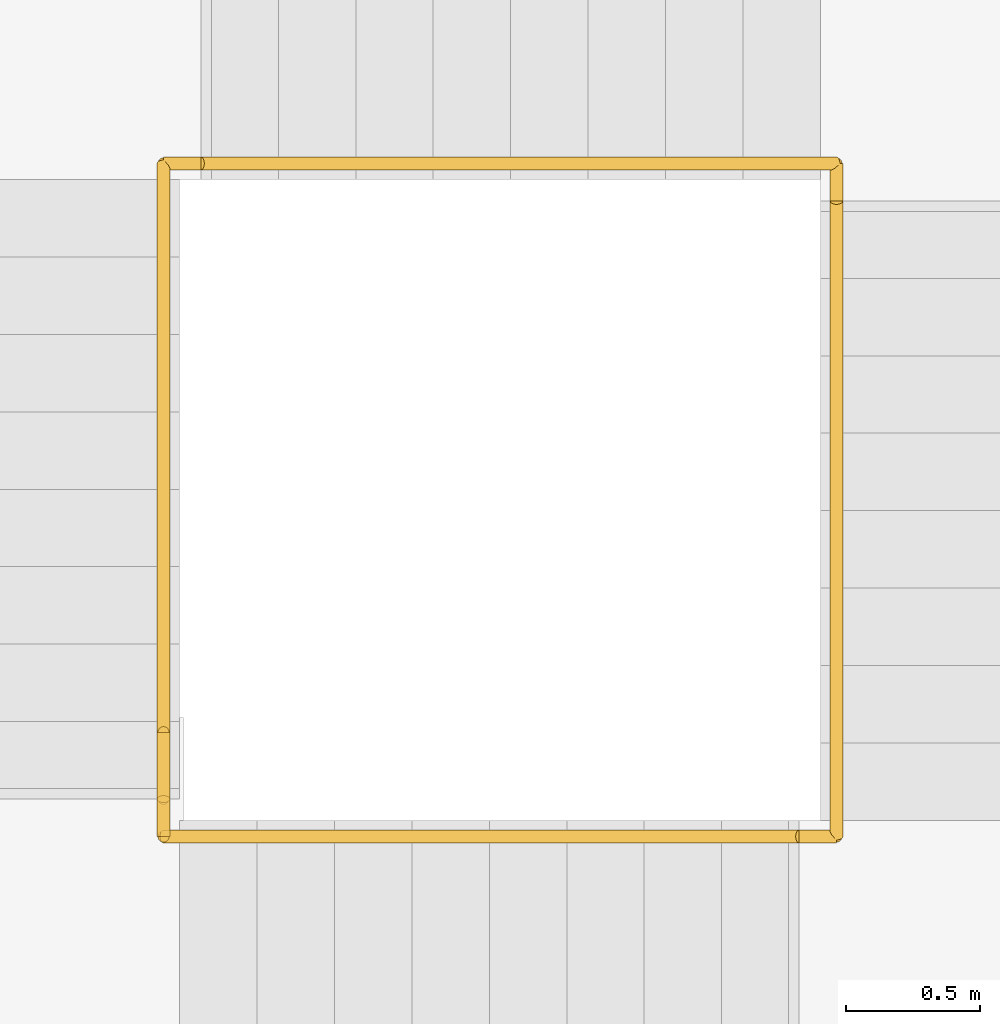
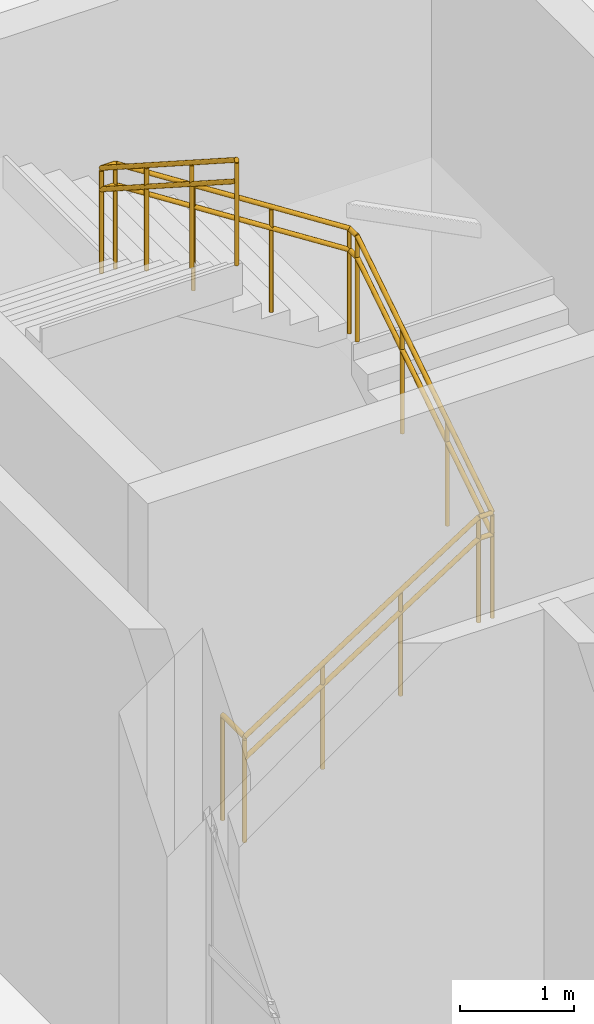
# One storey, part 45 of 46: 3 railings.
"""IFC4 building model written with IfcOpenShell, lengths in metres."""

from ifc_helpers import new_model, si_unit, direction, frame, origin, origin_2d, place, context, subcontext, project, spatial, circle, extrude, material, type_object, element, save


model = new_model("IFC4")

# Units and contexts
model_context = context("Model", 3, precision=1e-05, world=origin(), true_north=direction((0.0, 1.0)))
body_context = subcontext(model_context, "Body", "Model", "MODEL_VIEW")
ifc_project = project(units=[si_unit("LENGTHUNIT", "METRE"), si_unit("AREAUNIT", "SQUARE_METRE"), si_unit("VOLUMEUNIT", "CUBIC_METRE"), si_unit("PLANEANGLEUNIT", "RADIAN"), si_unit("MASSUNIT", "GRAM", prefix="KILO")], contexts=[model_context])

# Site, building, storey
site_placement = place(None, origin())
site = spatial("IfcSite", under=ifc_project, at=site_placement, CompositionType="ELEMENT")
building_placement = place(site_placement, origin())
building = spatial("IfcBuilding", under=site, at=building_placement, Name="Sillaruma Civic Art Gallery", CompositionType="ELEMENT")
storey_placement = place(building_placement, frame((0.0, 0.0, 16.320068359375)))
storey = spatial("IfcBuildingStorey", under=building, at=storey_placement, Name="L03", CompositionType="ELEMENT", Elevation=16.320068359375)

# Railings
ifc_material = material(Name="Stainless Steel AISI 316", Category="steel")
railing_type_1 = type_object("IfcRailingType", Name="RAL-BAL-1150", PredefinedType="BALUSTRADE", material=ifc_material)
railing_1_placement = place(storey_placement, frame((64.739990234375, 82.889892578125, 0.0)))
element("IfcRailing", 1, at=railing_1_placement, inside=storey, type_object=railing_type_1, Name="Stair Floor Edge Guard (ST-02:L03)", PredefinedType="BALUSTRADE", context=body_context, shape_type="SweptSolid", body=[
    extrude(circle(Radius=0.02392578125, at=origin_2d()), frame((0.0, 0.0, 1.1259765625), z_axis=(0.0, 1.0, 0.0), x_axis=(-1.0, 0.0, 0.0)), (0.0, 0.0, 1.0), 0.39013671875),
    extrude(circle(Radius=0.02099609375, at=origin_2d()), origin(), (0.0, 0.0, 1.0), 1.101806640625),
    extrude(circle(Radius=0.02099609375, at=origin_2d()), frame((0.0, 0.39013671875, 0.0)), (0.0, 0.0, 1.0), 1.101806640625),
])
railing_2_placement = place(storey_placement, frame((64.739990234375, 82.889892578125, 0.0)))
element("IfcRailing", 2, at=railing_2_placement, inside=storey, type_object=railing_type_1, Name="Stair Well Balustrade (ST-02-L03)", PredefinedType="BALUSTRADE", context=body_context, shape_type="SweptSolid", body=[
    extrude(circle(Radius=0.02392578125, at=origin_2d()), frame((0.0, 0.0, 1.1259765625), z_axis=(0.84118688567, 0.0, 0.540744508411), x_axis=(0.0, 1.0, 0.0)), (0.0, 0.0, 1.0), 2.82958984375),
    extrude(circle(Radius=0.02392578125, at=origin_2d()), frame((2.380126953125, 0.0, 2.65576171875), z_axis=(1.0, 0.0, 0.0), x_axis=(0.0, 1.0, 0.0)), (0.0, 0.0, 1.0), 0.139892578125),
    extrude(circle(Radius=0.02392578125, at=origin_2d()), frame((2.52001953125, 0.0, 2.65576171875), z_axis=(0.0, 0.841226133241, 0.540683449675), x_axis=(-1.0, 0.0, 0.0)), (0.0, 0.0, 1.0), 2.829345703125),
    extrude(circle(Radius=0.02392578125, at=origin_2d()), frame((2.52001953125, 2.380126953125, 4.185546875), z_axis=(0.0, 1.0, 0.0), x_axis=(-1.0, 0.0, 0.0)), (0.0, 0.0, 1.0), 0.139892578125),
    extrude(circle(Radius=0.02392578125, at=origin_2d()), frame((2.52001953125, 2.52001953125, 4.185546875), z_axis=(-0.84118688567, 0.0, 0.540744508411), x_axis=(0.0, -1.0, 0.0)), (0.0, 0.0, 1.0), 2.82958984375),
    extrude(circle(Radius=0.02392578125, at=origin_2d()), frame((0.139892578125, 2.52001953125, 5.7158203125), z_axis=(-1.0, 0.0, 0.0), x_axis=(0.0, -1.0, 0.0)), (0.0, 0.0, 1.0), 0.139892578125),
    extrude(circle(Radius=0.02392578125, at=origin_2d()), frame((0.0, 2.52001953125, 5.7158203125), z_axis=(0.0, -0.841161652958, 0.540783758626), x_axis=(1.0, 0.0, 0.0)), (0.0, 0.0, 1.0), 2.829345703125),
    extrude(circle(Radius=0.02099609375, at=origin_2d()), origin(), (0.0, 0.0, 1.0), 1.101806640625),
    extrude(circle(Radius=0.02099609375, at=origin_2d()), frame((0.79345703125, 0.0, 0.510009765625)), (0.0, 0.0, 1.0), 1.101806640625),
    extrude(circle(Radius=0.02099609375, at=origin_2d()), frame((1.586669921875, 0.0, 1.02001953125)), (0.0, 0.0, 1.0), 1.101806640625),
    extrude(circle(Radius=0.02099609375, at=origin_2d()), frame((2.380126953125, 0.0, 1.530029296875)), (0.0, 0.0, 1.0), 1.101806640625),
    extrude(circle(Radius=0.02099609375, at=origin_2d()), frame((2.52001953125, 0.0, 1.530029296875)), (0.0, 0.0, 1.0), 1.101806640625),
    extrude(circle(Radius=0.02099609375, at=origin_2d()), frame((2.52001953125, 0.79345703125, 2.0400390625)), (0.0, 0.0, 1.0), 1.101806640625),
    extrude(circle(Radius=0.02099609375, at=origin_2d()), frame((2.52001953125, 1.586669921875, 2.5498046875)), (0.0, 0.0, 1.0), 1.101806640625),
    extrude(circle(Radius=0.02099609375, at=origin_2d()), frame((2.52001953125, 2.380126953125, 3.059814453125)), (0.0, 0.0, 1.0), 1.101806640625),
    extrude(circle(Radius=0.02099609375, at=origin_2d()), frame((2.52001953125, 2.52001953125, 3.059814453125)), (0.0, 0.0, 1.0), 1.101806640625),
    extrude(circle(Radius=0.02099609375, at=origin_2d()), frame((1.7265625, 2.52001953125, 3.56982421875)), (0.0, 0.0, 1.0), 1.101806640625),
    extrude(circle(Radius=0.02099609375, at=origin_2d()), frame((0.933349609375, 2.52001953125, 4.079833984375)), (0.0, 0.0, 1.0), 1.101806640625),
    extrude(circle(Radius=0.02099609375, at=origin_2d()), frame((0.139892578125, 2.52001953125, 4.58984375)), (0.0, 0.0, 1.0), 1.101806640625),
    extrude(circle(Radius=0.02099609375, at=origin_2d()), frame((0.0, 2.52001953125, 4.58984375)), (0.0, 0.0, 1.0), 1.101806640625),
    extrude(circle(Radius=0.02099609375, at=origin_2d()), frame((0.0, 1.726806640625, 5.099853515625)), (0.0, 0.0, 1.0), 1.101806640625),
    extrude(circle(Radius=0.02099609375, at=origin_2d()), frame((0.0, 0.933349609375, 5.60986328125)), (0.0, 0.0, 1.0), 1.101806640625),
    extrude(circle(Radius=0.02099609375, at=origin_2d()), frame((0.0, 0.14013671875, 6.119873046875)), (0.0, 0.0, 1.0), 1.101806640625),
])
railing_type_2 = type_object("IfcRailingType", Name="RAL-HND-920", PredefinedType="HANDRAIL", material=ifc_material)
railing_3_placement = place(storey_placement, frame((64.739990234375, 82.889892578125, 0.0)))
element("IfcRailing", 3, at=railing_3_placement, inside=storey, type_object=railing_type_2, Name="Stair Continuous Handrail (ST-02-L03)", PredefinedType="HANDRAIL", context=body_context, shape_type="SweptSolid", body=[
    extrude(circle(Radius=0.02392578125, at=origin_2d()), frame((0.0, 0.0, 0.89599609375), z_axis=(0.84118688567, 0.0, 0.540744508411), x_axis=(0.0, 1.0, 0.0)), (0.0, 0.0, 1.0), 2.82958984375),
    extrude(circle(Radius=0.02392578125, at=origin_2d()), frame((2.380126953125, 0.0, 2.42578125), z_axis=(1.0, 0.0, 0.0), x_axis=(0.0, 1.0, 0.0)), (0.0, 0.0, 1.0), 0.139892578125),
    extrude(circle(Radius=0.02392578125, at=origin_2d()), frame((2.52001953125, 0.0, 2.42578125), z_axis=(0.0, 0.841226133241, 0.540683449675), x_axis=(-1.0, 0.0, 0.0)), (0.0, 0.0, 1.0), 2.829345703125),
    extrude(circle(Radius=0.02392578125, at=origin_2d()), frame((2.52001953125, 2.380126953125, 3.95556640625), z_axis=(0.0, 1.0, 0.0), x_axis=(-1.0, 0.0, 0.0)), (0.0, 0.0, 1.0), 0.139892578125),
    extrude(circle(Radius=0.02392578125, at=origin_2d()), frame((2.52001953125, 2.52001953125, 3.95556640625), z_axis=(-0.84118688567, 0.0, 0.540744508411), x_axis=(0.0, -1.0, 0.0)), (0.0, 0.0, 1.0), 2.82958984375),
    extrude(circle(Radius=0.02392578125, at=origin_2d()), frame((0.139892578125, 2.52001953125, 5.48583984375), z_axis=(-1.0, 0.0, 0.0), x_axis=(0.0, -1.0, 0.0)), (0.0, 0.0, 1.0), 0.139892578125),
    extrude(circle(Radius=0.02392578125, at=origin_2d()), frame((0.0, 2.52001953125, 5.48583984375), z_axis=(0.0, -0.841161652958, 0.540783758626), x_axis=(1.0, 0.0, 0.0)), (0.0, 0.0, 1.0), 2.829345703125),
    extrude(circle(Radius=0.02099609375, at=origin_2d()), origin(), (0.0, 0.0, 1.0), 0.871826171875),
    extrude(circle(Radius=0.02099609375, at=origin_2d()), frame((0.79345703125, 0.0, 0.510009765625)), (0.0, 0.0, 1.0), 0.871826171875),
    extrude(circle(Radius=0.02099609375, at=origin_2d()), frame((1.586669921875, 0.0, 1.02001953125)), (0.0, 0.0, 1.0), 0.871826171875),
    extrude(circle(Radius=0.02099609375, at=origin_2d()), frame((2.380126953125, 0.0, 1.530029296875)), (0.0, 0.0, 1.0), 0.871826171875),
    extrude(circle(Radius=0.02099609375, at=origin_2d()), frame((2.52001953125, 0.0, 1.530029296875)), (0.0, 0.0, 1.0), 0.871826171875),
    extrude(circle(Radius=0.02099609375, at=origin_2d()), frame((2.52001953125, 0.79345703125, 2.0400390625)), (0.0, 0.0, 1.0), 0.871826171875),
    extrude(circle(Radius=0.02099609375, at=origin_2d()), frame((2.52001953125, 1.586669921875, 2.5498046875)), (0.0, 0.0, 1.0), 0.871826171875),
    extrude(circle(Radius=0.02099609375, at=origin_2d()), frame((2.52001953125, 2.380126953125, 3.059814453125)), (0.0, 0.0, 1.0), 0.871826171875),
    extrude(circle(Radius=0.02099609375, at=origin_2d()), frame((2.52001953125, 2.52001953125, 3.059814453125)), (0.0, 0.0, 1.0), 0.871826171875),
    extrude(circle(Radius=0.02099609375, at=origin_2d()), frame((1.7265625, 2.52001953125, 3.56982421875)), (0.0, 0.0, 1.0), 0.871826171875),
    extrude(circle(Radius=0.02099609375, at=origin_2d()), frame((0.933349609375, 2.52001953125, 4.079833984375)), (0.0, 0.0, 1.0), 0.871826171875),
    extrude(circle(Radius=0.02099609375, at=origin_2d()), frame((0.139892578125, 2.52001953125, 4.58984375)), (0.0, 0.0, 1.0), 0.871826171875),
    extrude(circle(Radius=0.02099609375, at=origin_2d()), frame((0.0, 2.52001953125, 4.58984375)), (0.0, 0.0, 1.0), 0.871826171875),
    extrude(circle(Radius=0.02099609375, at=origin_2d()), frame((0.0, 1.726806640625, 5.099853515625)), (0.0, 0.0, 1.0), 0.871826171875),
    extrude(circle(Radius=0.02099609375, at=origin_2d()), frame((0.0, 0.933349609375, 5.60986328125)), (0.0, 0.0, 1.0), 0.871826171875),
    extrude(circle(Radius=0.02099609375, at=origin_2d()), frame((0.0, 0.14013671875, 6.119873046875)), (0.0, 0.0, 1.0), 0.871826171875),
])

save(model, "model.ifc")
